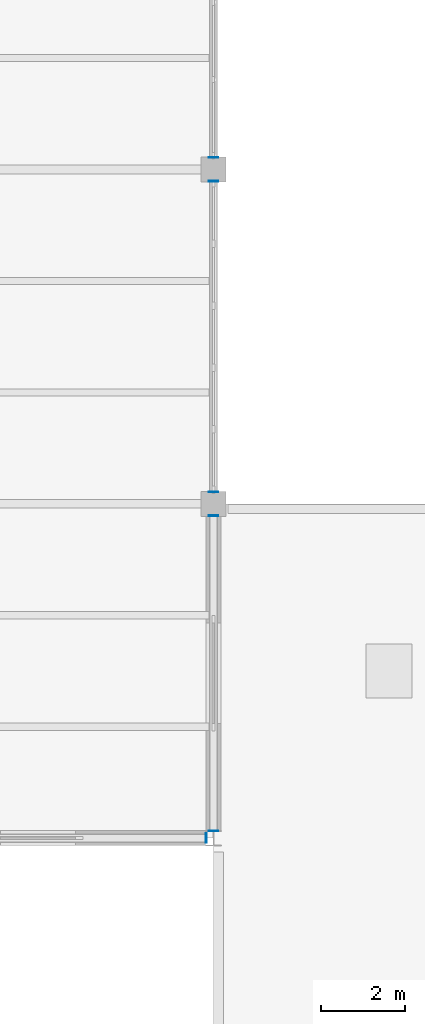
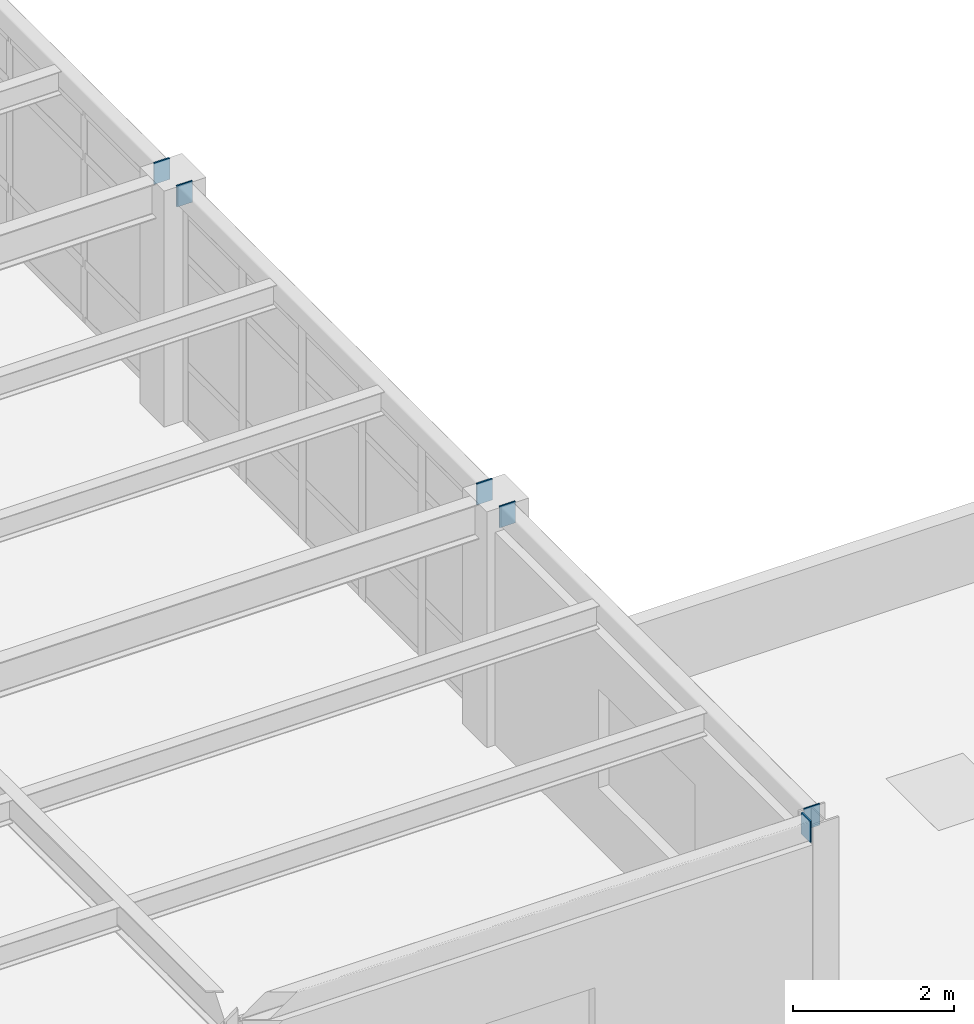
# One storey, part 67 of 96: 6 discrete accessories.
"""IFC4 building model written with IfcOpenShell, lengths in metres."""

from ifc_helpers import new_model, si_unit, direction, frame, origin, origin_2d, place, context, subcontext, project, spatial, rectangle, extrude, material, layer, layer_set, type_object, element, save


model = new_model("IFC4")

# Units and contexts
model_context = context("Model", 3, precision=1e-05, world=origin(), true_north=direction((0.0, 1.0)))
body_context = subcontext(model_context, "Body", "Model", "MODEL_VIEW")
ifc_project = project(units=[si_unit("LENGTHUNIT", "METRE"), si_unit("AREAUNIT", "SQUARE_METRE"), si_unit("VOLUMEUNIT", "CUBIC_METRE"), si_unit("PLANEANGLEUNIT", "RADIAN"), si_unit("MASSUNIT", "GRAM", prefix="KILO")], contexts=[model_context])

# Site, building, storey
site_placement = place(None, origin())
site = spatial("IfcSite", under=ifc_project, at=site_placement, CompositionType="ELEMENT")
building_placement = place(site_placement, origin())
building = spatial("IfcBuilding", under=site, at=building_placement, Name="Kranzveld Transit Interchange", CompositionType="ELEMENT")
storey_placement = place(building_placement, frame((0.0, 0.0, 9.52001953125)))
storey = spatial("IfcBuildingStorey", under=building, at=storey_placement, Name="L02", CompositionType="ELEMENT", Elevation=9.52001953125)

# Discrete accessories
ifc_material = material(Name="Steel S355JR", Category="steel")
ifc_layer = layer(ifc_material, 0.02001953125)
ifc_layer_set = layer_set([ifc_layer], Name="Steel S355JR")
discrete_accessory_type = type_object("IfcDiscreteAccessoryType", Name="Hollow Section End Cap Bracket 20 S355JR", PredefinedType="BRACKET", material=ifc_layer_set)
for number, where, z_axis, x_axis, name in (
    (1, (33.418701171875, 48.0, 3.419921875), (1.0, 0.0, 0.0), (0.0, 1.0, 0.0), "Hollow Section End Cap SP-RHS300-2"),
    (2, (33.60009765625, 48.181396484375, 3.419921875), (0.0, -1.0, 0.0), (1.0, 0.0, 0.0), "Hollow Section End Cap SP-RHS300-1"),
    (3, (33.60009765625, 55.7060546875, 3.419921875), (0.0, 1.0, 0.0), (-1.0, 0.0, 0.0), "Hollow Section End Cap SP-RHS300-2"),
    (4, (33.60009765625, 56.2939453125, 3.419921875), (0.0, -1.0, 0.0), (1.0, 0.0, 0.0), "Hollow Section End Cap SP-RHS300-1"),
    (5, (33.60009765625, 63.7060546875, 3.419921875), (0.0, 1.0, 0.0), (-1.0, 0.0, 0.0), "Hollow Section End Cap SP-RHS300-2"),
    (6, (33.60009765625, 64.2939453125, 3.419921875), (0.0, -1.0, 0.0), (1.0, 0.0, 0.0), "Hollow Section End Cap SP-RHS300-1"),
):
    element("IfcDiscreteAccessory", number, at=place(storey_placement, frame(where, z_axis=z_axis, x_axis=x_axis)), inside=storey, type_object=discrete_accessory_type, Name=name, PredefinedType="BRACKET", context=body_context, shape_type="SweptSolid", body=[
        extrude(rectangle(XDim=0.22412109375, YDim=0.323974609375, at=origin_2d()), origin(), (0.0, 0.0, 1.0), 0.02001953125),
    ])

save(model, "model.ifc")
